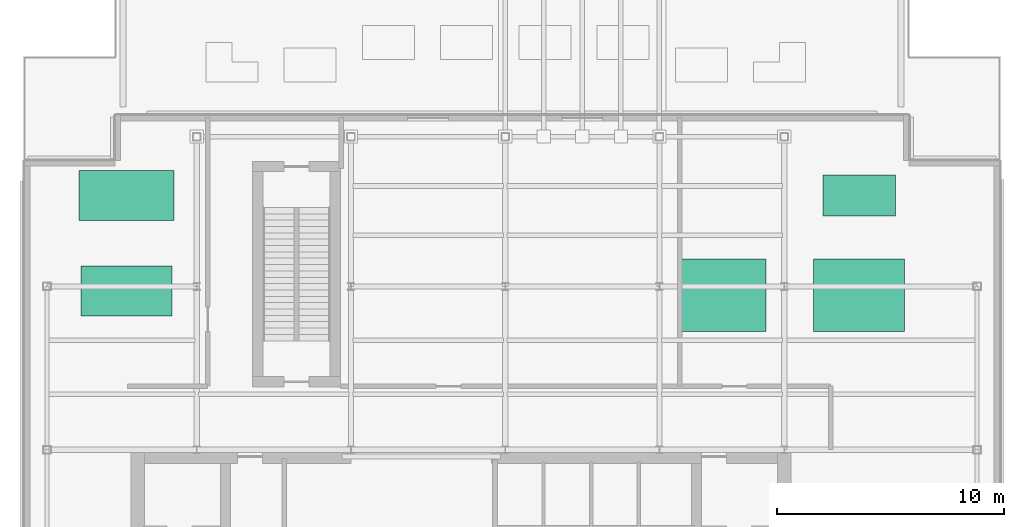
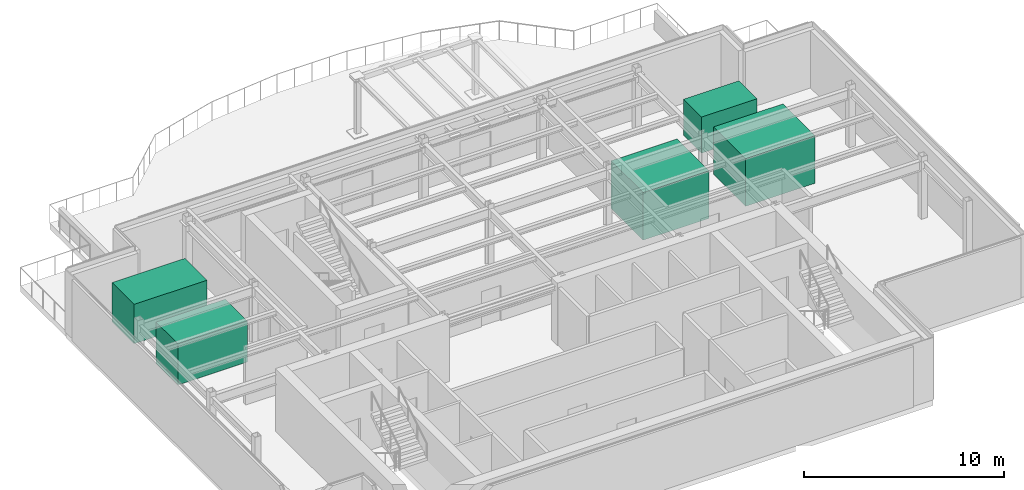
# One storey, part 9 of 9: 2 cooling towers, 1 boiler, 1 chiller, 1 unitary equipment element.
"""IFC4 building model written with IfcOpenShell, lengths in metres."""

from ifc_helpers import new_model, si_unit, derived_unit, direction, frame, origin, origin_2d, place, context, subcontext, project, spatial, rectangle, extrude, source, transform, mapped, material, type_object, element, save


model = new_model("IFC4")

# Units and contexts
model_context = context("Model", 3, precision=1e-05, world=origin(), true_north=direction((0.0, 1.0)))
body_context = subcontext(model_context, "Body", "Model", "MODEL_VIEW")
ifc_project = project(units=[si_unit("LENGTHUNIT", "METRE"), si_unit("AREAUNIT", "SQUARE_METRE"), si_unit("VOLUMEUNIT", "CUBIC_METRE"), si_unit("PLANEANGLEUNIT", "RADIAN"), si_unit("MASSUNIT", "GRAM", prefix="KILO"), derived_unit("THERMALTRANSMITTANCEUNIT", [(si_unit("POWERUNIT", "WATT"), 1), (si_unit("LENGTHUNIT", "METRE"), -2), (si_unit("THERMODYNAMICTEMPERATUREUNIT", "KELVIN"), -1)])], contexts=[model_context])

# Site, building, storey
site_placement = place(None, origin())
site = spatial("IfcSite", under=ifc_project, at=site_placement, CompositionType="ELEMENT")
building_placement = place(site_placement, origin())
building = spatial("IfcBuilding", under=site, at=building_placement, Name="Skarnbrae Concourse Arena and Tower", CompositionType="ELEMENT")
storey_placement = place(building_placement, frame((0.0, 0.0, 292.25)))
storey = spatial("IfcBuildingStorey", under=building, at=storey_placement, Name="L76", CompositionType="ELEMENT", Elevation=292.25)

# Chiller
ifc_material = material(Name="Painted steel mechanical equipment skid", Category="steel")
chiller_type = type_object("IfcChillerType", Name="EQP-CHILLER-CENT", PredefinedType="NOTDEFINED", material=ifc_material)
shared_shape_1 = source(origin(), body_context, "Body", "SweptSolid", [
    extrude(rectangle(XDim=4.0, YDim=2.199951171875, at=origin_2d()), origin(), (0.0, 0.0, 1.0), 2.5),
])
chiller_placement = place(storey_placement, frame((4.5, 21.0, 0.0), z_axis=(0.0, 0.0, 1.0), x_axis=(1.0, 0.0, 0.0)))
element("IfcChiller", 1, at=chiller_placement, inside=storey, type_object=chiller_type, Name="L76 Crown mechanical plant unit CH1", PredefinedType="NOTDEFINED", context=body_context, shape_type="MappedRepresentation", body=[
    mapped(shared_shape_1, transform((0.0, 0.0, 0.0))),
])

# Cooling towers
cooling_tower_type = type_object("IfcCoolingTowerType", Name="EQP-CTOWER-CELL", PredefinedType="NOTDEFINED", material=ifc_material)
shared_shape_2 = source(origin(), body_context, "Body", "SweptSolid", [
    extrude(rectangle(XDim=3.800048828125, YDim=3.199951171875, at=origin_2d()), origin(), (0.0, 0.0, 1.0), 2.89990234375),
])
cooling_tower_1_placement = place(storey_placement, frame((30.800048828125, 20.800048828125, 0.0), z_axis=(0.0, 0.0, 1.0), x_axis=(1.0, 0.0, 0.0)))
element("IfcCoolingTower", 2, at=cooling_tower_1_placement, inside=storey, type_object=cooling_tower_type, Name="L76 Crown mechanical plant unit CT1", PredefinedType="NOTDEFINED", context=body_context, shape_type="MappedRepresentation", body=[
    mapped(shared_shape_2, transform((0.0, 0.0, 0.0))),
])
shared_shape_3 = source(origin(), body_context, "Body", "SweptSolid", [
    extrude(rectangle(XDim=4.0, YDim=3.199951171875, at=origin_2d()), origin(), (0.0, 0.0, 1.0), 2.89990234375),
])
cooling_tower_2_placement = place(storey_placement, frame((36.800048828125, 20.800048828125, 0.0), z_axis=(0.0, 0.0, 1.0), x_axis=(1.0, 0.0, 0.0)))
element("IfcCoolingTower", 3, at=cooling_tower_2_placement, inside=storey, type_object=cooling_tower_type, Name="L76 Crown mechanical plant unit CT2", PredefinedType="NOTDEFINED", context=body_context, shape_type="MappedRepresentation", body=[
    mapped(shared_shape_3, transform((0.0, 0.0, 0.0))),
])

# Unitary equipment
unitary_equipment_type = type_object("IfcUnitaryEquipmentType", Name="EQP-AHU-CUSTOM", PredefinedType="NOTDEFINED", material=ifc_material)
shared_shape_4 = source(origin(), body_context, "Body", "SweptSolid", [
    extrude(rectangle(XDim=4.199951171875, YDim=2.199951171875, at=origin_2d()), origin(), (0.0, 0.0, 1.0), 2.39990234375),
])
unitary_equipment_placement = place(storey_placement, frame((4.5, 25.199951171875, 0.0), z_axis=(0.0, 0.0, 1.0), x_axis=(1.0, 0.0, 0.0)))
element("IfcUnitaryEquipment", 4, at=unitary_equipment_placement, inside=storey, type_object=unitary_equipment_type, Name="L76 Crown mechanical plant unit AH1", PredefinedType="NOTDEFINED", context=body_context, shape_type="MappedRepresentation", body=[
    mapped(shared_shape_4, transform((0.0, 0.0, 0.0))),
])

# Boiler
boiler_type = type_object("IfcBoilerType", Name="EQP-BOILER-COND", PredefinedType="NOTDEFINED", material=ifc_material)
shared_shape_5 = source(origin(), body_context, "Body", "SweptSolid", [
    extrude(rectangle(XDim=3.199951171875, YDim=1.800048828125, at=origin_2d()), origin(), (0.0, 0.0, 1.0), 2.199951171875),
])
boiler_placement = place(storey_placement, frame((36.800048828125, 25.199951171875, 0.0), z_axis=(0.0, 0.0, 1.0), x_axis=(1.0, 0.0, 0.0)))
element("IfcBoiler", 5, at=boiler_placement, inside=storey, type_object=boiler_type, Name="L76 Crown mechanical plant unit BL1", PredefinedType="NOTDEFINED", context=body_context, shape_type="MappedRepresentation", body=[
    mapped(shared_shape_5, transform((0.0, 0.0, 0.0))),
])

save(model, "model.ifc")
